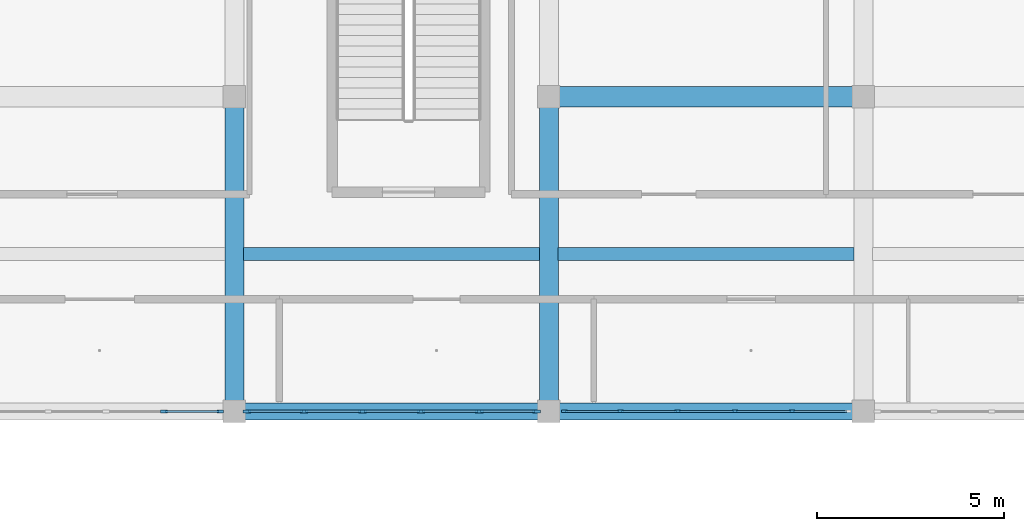
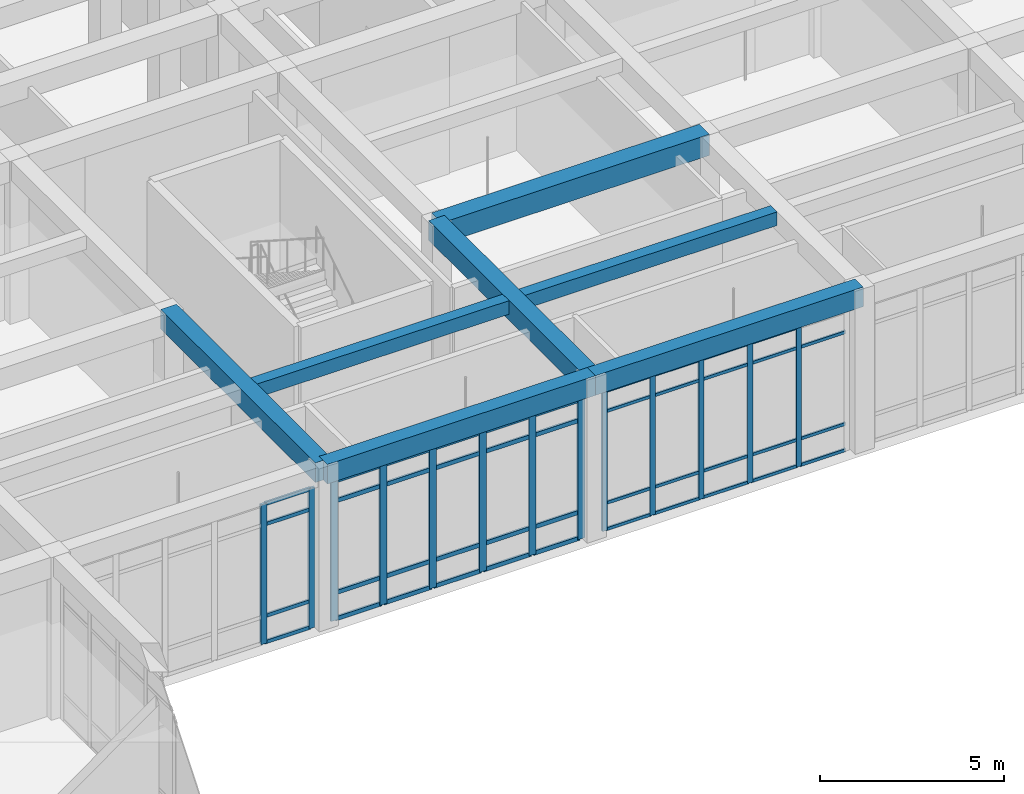
# One storey, part 34 of 157: 56 members, 7 beams, 3 elements without a shape of their own.
"""IFC4 building model written with IfcOpenShell, lengths in metres."""

from ifc_helpers import new_model, si_unit, direction, frame, origin, origin_2d, place, context, subcontext, project, spatial, rectangle, extrude, material, material_profile, profile_set, type_object, element, aggregate, save


model = new_model("IFC4")

# Units and contexts
model_context = context("Model", 3, precision=1e-05, world=origin(), true_north=direction((0.0, 1.0)))
body_context = subcontext(model_context, "Body", "Model", "MODEL_VIEW")
ifc_project = project(units=[si_unit("LENGTHUNIT", "METRE"), si_unit("AREAUNIT", "SQUARE_METRE"), si_unit("VOLUMEUNIT", "CUBIC_METRE"), si_unit("PLANEANGLEUNIT", "RADIAN"), si_unit("MASSUNIT", "GRAM", prefix="KILO")], contexts=[model_context])

# Site, building, storey
site_placement = place(None, origin())
site = spatial("IfcSite", under=ifc_project, at=site_placement, CompositionType="ELEMENT")
building_placement = place(site_placement, origin())
building = spatial("IfcBuilding", under=site, at=building_placement, Name="Varncliffe General Hospital", CompositionType="ELEMENT")
storey_placement = place(building_placement, frame((0.0, 0.0, 5.39990234375)))
storey = spatial("IfcBuildingStorey", under=building, at=storey_placement, Name="L01", CompositionType="ELEMENT", Elevation=5.39990234375)

# Beams
ifc_material_1 = material(Name="Concrete C35/45 (CSA A23.1 35 MPa)", Category="concrete")
ifc_material_profile_1 = material_profile(ifc_material_1, rectangle(XDim=0.5, YDim=0.64990234375, at=origin_2d()), Name="RC 500x650")
ifc_profile_set_1 = profile_set([ifc_material_profile_1], Name="Concrete C35/45 (CSA A23.1 35 MPa)")
beam_type_1 = type_object("IfcBeamType", Name="Beam B29 (Int RC 500x650)", PredefinedType="BEAM", material=ifc_profile_set_1)
for number, where, z_axis, x_axis, name in (
    (1, (33.60009765625, 82.800048828125, 5.0751953125), (0.0, 1.0, 0.0), (-1.0, 0.0, 0.0), "L01 Primary Beam B29-328"),
    (2, (42.0, 82.800048828125, 5.0751953125), (0.0, 1.0, 0.0), (-1.0, 0.0, 0.0), "L01 Primary Beam B29-337"),
):
    element("IfcBeam", number, at=place(storey_placement, frame(where, z_axis=z_axis, x_axis=x_axis)), inside=storey, type_object=beam_type_1, Name=name, PredefinedType="BEAM", context=body_context, shape_type="SweptSolid", body=[
        extrude(rectangle(XDim=0.5, YDim=0.64990234375, at=origin_2d()), origin(), (0.0, 0.0, 1.0), 8.39990234375),
    ])
ifc_material_profile_2 = material_profile(ifc_material_1, rectangle(XDim=0.550048828125, YDim=0.699951171875, at=origin_2d()), Name="RC 550x700")
ifc_profile_set_2 = profile_set([ifc_material_profile_2], Name="Concrete C35/45 (CSA A23.1 35 MPa)")
beam_type_2 = type_object("IfcBeamType", Name="Beam B35 (Int RC 550x700)", PredefinedType="BEAM", material=ifc_profile_set_2)
beam_placement = place(storey_placement, frame((42.0, 91.199951171875, 5.050048828125), z_axis=(1.0, 0.0, 0.0), x_axis=(0.0, 1.0, 0.0)))
element("IfcBeam", 3, at=beam_placement, inside=storey, type_object=beam_type_2, Name="L01 Primary Beam B35-137", PredefinedType="BEAM", context=body_context, shape_type="SweptSolid", body=[
    extrude(rectangle(XDim=0.550048828125, YDim=0.699951171875, at=origin_2d()), origin(), (0.0, 0.0, 1.0), 8.39990234375),
])

# Curtain wall, members
ifc_material_2 = material(Name="Triple low-E argon insulated vision glazing", Category="glass")
curtain_wall_type_1 = type_object("IfcCurtainWallType", Name="Unitised Glazed Curtain Wall CW70 (7724x4640)", PredefinedType="USERDEFINED", material=ifc_material_2)
curtain_wall_1_placement = place(storey_placement, origin())
curtain_wall_1 = element("IfcCurtainWall", 4, at=curtain_wall_1_placement, inside=storey, type_object=curtain_wall_type_1, Name="L01 Glazed Curtain Wall CW70-76", ObjectType="GLAZED CURTAIN WALL", PredefinedType="USERDEFINED")
ifc_material_3 = material(Name="Dark bronze thermally broken aluminium framing", Category="aluminium")
ifc_material_profile_3 = material_profile(ifc_material_3, rectangle(XDim=0.074951171875, YDim=0.179931640625, at=origin_2d()), Name="ALU 75x180")
ifc_profile_set_3 = profile_set([ifc_material_profile_3], Name="Dark bronze thermally broken aluminium framing")
member_type_1 = type_object("IfcMemberType", Name="Curtain Wall Mullion CM44 (ALU 75x180)", PredefinedType="MULLION", material=ifc_profile_set_3)
member_1_placement = place(storey_placement, frame((33.224609375, 82.800048828125, 0.0), z_axis=(0.0, 0.0, 1.0), x_axis=(0.0, -1.0, 0.0)))
member_1 = element("IfcMember", 5, at=member_1_placement, type_object=member_type_1, Name="CW70 mullion 1", PredefinedType="MULLION", context=body_context, shape_type="SweptSolid", body=[
    extrude(rectangle(XDim=0.074951171875, YDim=0.179931640625, at=origin_2d()), origin(), (0.0, 0.0, 1.0), 4.64013671875),
])
member_2_placement = place(storey_placement, frame((31.71728515625, 82.800048828125, 0.0), z_axis=(0.0, 0.0, 1.0), x_axis=(0.0, -1.0, 0.0)))
member_2 = element("IfcMember", 6, at=member_2_placement, type_object=member_type_1, Name="CW70 mullion 2", PredefinedType="MULLION", context=body_context, shape_type="SweptSolid", body=[
    extrude(rectangle(XDim=0.074951171875, YDim=0.179931640625, at=origin_2d()), origin(), (0.0, 0.0, 1.0), 4.64013671875),
])

curtain_wall_type_2 = type_object("IfcCurtainWallType", Name="Unitised Glazed Curtain Wall CW27 (7644x4640)", PredefinedType="USERDEFINED", material=ifc_material_2)
curtain_wall_2_placement = place(storey_placement, origin())
curtain_wall_2 = element("IfcCurtainWall", 7, at=curtain_wall_2_placement, inside=storey, type_object=curtain_wall_type_2, Name="L01 Glazed Curtain Wall CW27-74", ObjectType="GLAZED CURTAIN WALL", PredefinedType="USERDEFINED")
ifc_material_profile_4 = material_profile(ifc_material_3, rectangle(XDim=0.06494140625, YDim=0.159912109375, at=origin_2d()), Name="ALU 65x160")
ifc_profile_set_4 = profile_set([ifc_material_profile_4], Name="Dark bronze thermally broken aluminium framing")
member_type_2 = type_object("IfcMemberType", Name="Curtain Wall Mullion CM65 (ALU 65x160)", PredefinedType="MULLION", material=ifc_profile_set_4)
member_3_placement = place(storey_placement, frame((48.4931640625, 82.800048828125, 0.0), z_axis=(0.0, 0.0, 1.0), x_axis=(0.0, -1.0, 0.0)))
member_3 = element("IfcMember", 8, at=member_3_placement, type_object=member_type_2, Name="CW27 mullion 2", PredefinedType="MULLION", context=body_context, shape_type="SweptSolid", body=[
    extrude(rectangle(XDim=0.06494140625, YDim=0.159912109375, at=origin_2d()), origin(), (0.0, 0.0, 1.0), 4.64013671875),
])
member_4_placement = place(storey_placement, frame((46.96435546875, 82.800048828125, 0.0), z_axis=(0.0, 0.0, 1.0), x_axis=(0.0, -1.0, 0.0)))
member_4 = element("IfcMember", 9, at=member_4_placement, type_object=member_type_2, Name="CW27 mullion 3", PredefinedType="MULLION", context=body_context, shape_type="SweptSolid", body=[
    extrude(rectangle(XDim=0.06494140625, YDim=0.159912109375, at=origin_2d()), origin(), (0.0, 0.0, 1.0), 4.64013671875),
])
member_5_placement = place(storey_placement, frame((45.435546875, 82.800048828125, 0.0), z_axis=(0.0, 0.0, 1.0), x_axis=(0.0, -1.0, 0.0)))
member_5 = element("IfcMember", 10, at=member_5_placement, type_object=member_type_2, Name="CW27 mullion 4", PredefinedType="MULLION", context=body_context, shape_type="SweptSolid", body=[
    extrude(rectangle(XDim=0.06494140625, YDim=0.159912109375, at=origin_2d()), origin(), (0.0, 0.0, 1.0), 4.64013671875),
])
member_6_placement = place(storey_placement, frame((43.90673828125, 82.800048828125, 0.0), z_axis=(0.0, 0.0, 1.0), x_axis=(0.0, -1.0, 0.0)))
member_6 = element("IfcMember", 11, at=member_6_placement, type_object=member_type_2, Name="CW27 mullion 5", PredefinedType="MULLION", context=body_context, shape_type="SweptSolid", body=[
    extrude(rectangle(XDim=0.06494140625, YDim=0.159912109375, at=origin_2d()), origin(), (0.0, 0.0, 1.0), 4.64013671875),
])
member_7_placement = place(storey_placement, frame((42.410400390625, 82.800048828125, 0.0), z_axis=(0.0, 0.0, 1.0), x_axis=(0.0, -1.0, 0.0)))
member_7 = element("IfcMember", 12, at=member_7_placement, type_object=member_type_2, Name="CW27 mullion 6", PredefinedType="MULLION", context=body_context, shape_type="SweptSolid", body=[
    extrude(rectangle(XDim=0.06494140625, YDim=0.159912109375, at=origin_2d()), origin(), (0.0, 0.0, 1.0), 4.64013671875),
])

curtain_wall_type_3 = type_object("IfcCurtainWallType", Name="Unitised Glazed Curtain Wall CW85 (7804x4640)", PredefinedType="USERDEFINED", material=ifc_material_2)
curtain_wall_3_placement = place(storey_placement, origin())
curtain_wall_3 = element("IfcCurtainWall", 13, at=curtain_wall_3_placement, inside=storey, type_object=curtain_wall_type_3, Name="L01 Glazed Curtain Wall CW85-75", ObjectType="GLAZED CURTAIN WALL", PredefinedType="USERDEFINED")
ifc_material_profile_5 = material_profile(ifc_material_3, rectangle(XDim=0.074951171875, YDim=0.219970703125, at=origin_2d()), Name="ALU 75x220")
ifc_profile_set_5 = profile_set([ifc_material_profile_5], Name="Dark bronze thermally broken aluminium framing")
member_type_3 = type_object("IfcMemberType", Name="Curtain Wall Mullion CM74 (ALU 75x220)", PredefinedType="MULLION", material=ifc_profile_set_5)
member_8_placement = place(storey_placement, frame((41.66455078125, 82.800048828125, 0.0), z_axis=(0.0, 0.0, 1.0), x_axis=(0.0, -1.0, 0.0)))
member_8 = element("IfcMember", 14, at=member_8_placement, type_object=member_type_3, Name="CW85 mullion 1", PredefinedType="MULLION", context=body_context, shape_type="SweptSolid", body=[
    extrude(rectangle(XDim=0.074951171875, YDim=0.219970703125, at=origin_2d()), origin(), (0.0, 0.0, 1.0), 4.64013671875),
])
member_9_placement = place(storey_placement, frame((40.14111328125, 82.800048828125, 0.0), z_axis=(0.0, 0.0, 1.0), x_axis=(0.0, -1.0, 0.0)))
member_9 = element("IfcMember", 15, at=member_9_placement, type_object=member_type_3, Name="CW85 mullion 2", PredefinedType="MULLION", context=body_context, shape_type="SweptSolid", body=[
    extrude(rectangle(XDim=0.074951171875, YDim=0.219970703125, at=origin_2d()), origin(), (0.0, 0.0, 1.0), 4.64013671875),
])
member_10_placement = place(storey_placement, frame((38.580322265625, 82.800048828125, 0.0), z_axis=(0.0, 0.0, 1.0), x_axis=(0.0, -1.0, 0.0)))
member_10 = element("IfcMember", 16, at=member_10_placement, type_object=member_type_3, Name="CW85 mullion 3", PredefinedType="MULLION", context=body_context, shape_type="SweptSolid", body=[
    extrude(rectangle(XDim=0.074951171875, YDim=0.219970703125, at=origin_2d()), origin(), (0.0, 0.0, 1.0), 4.64013671875),
])
member_11_placement = place(storey_placement, frame((37.01953125, 82.800048828125, 0.0), z_axis=(0.0, 0.0, 1.0), x_axis=(0.0, -1.0, 0.0)))
member_11 = element("IfcMember", 17, at=member_11_placement, type_object=member_type_3, Name="CW85 mullion 4", PredefinedType="MULLION", context=body_context, shape_type="SweptSolid", body=[
    extrude(rectangle(XDim=0.074951171875, YDim=0.219970703125, at=origin_2d()), origin(), (0.0, 0.0, 1.0), 4.64013671875),
])
member_12_placement = place(storey_placement, frame((35.458740234375, 82.800048828125, 0.0), z_axis=(0.0, 0.0, 1.0), x_axis=(0.0, -1.0, 0.0)))
member_12 = element("IfcMember", 18, at=member_12_placement, type_object=member_type_3, Name="CW85 mullion 5", PredefinedType="MULLION", context=body_context, shape_type="SweptSolid", body=[
    extrude(rectangle(XDim=0.074951171875, YDim=0.219970703125, at=origin_2d()), origin(), (0.0, 0.0, 1.0), 4.64013671875),
])
member_13_placement = place(storey_placement, frame((33.935546875, 82.800048828125, 0.0), z_axis=(0.0, 0.0, 1.0), x_axis=(0.0, -1.0, 0.0)))
member_13 = element("IfcMember", 19, at=member_13_placement, type_object=member_type_3, Name="CW85 mullion 6", PredefinedType="MULLION", context=body_context, shape_type="SweptSolid", body=[
    extrude(rectangle(XDim=0.074951171875, YDim=0.219970703125, at=origin_2d()), origin(), (0.0, 0.0, 1.0), 4.64013671875),
])

# Member
ifc_material_profile_6 = material_profile(ifc_material_3, rectangle(XDim=0.06005859375, YDim=0.1201171875, at=origin_2d()), Name="ALU 60x120")
ifc_profile_set_6 = profile_set([ifc_material_profile_6], Name="Dark bronze thermally broken aluminium framing")
member_type_4 = type_object("IfcMemberType", Name="Curtain Wall Transom CT14 (ALU 60x120)", PredefinedType="USERDEFINED", material=ifc_profile_set_6)
member_14_placement = place(storey_placement, frame((33.18701171875, 82.800048828125, 0.030029296875), z_axis=(-1.0, 0.0, 0.0), x_axis=(0.0, -1.0, 0.0)))
member_14 = element("IfcMember", 20, at=member_14_placement, type_object=member_type_4, Name="CW70 transom 1.1", ObjectType="TRANSOM", PredefinedType="USERDEFINED", context=body_context, shape_type="SweptSolid", body=[
    extrude(rectangle(XDim=0.06005859375, YDim=0.1201171875, at=origin_2d()), origin(), (0.0, 0.0, 1.0), 1.432373046875),
])

member_15_placement = place(storey_placement, frame((33.18701171875, 82.800048828125, 0.900146484375), z_axis=(-1.0, 0.0, 0.0), x_axis=(0.0, -1.0, 0.0)))
member_15 = element("IfcMember", 21, at=member_15_placement, type_object=member_type_4, Name="CW70 transom 1.2", ObjectType="TRANSOM", PredefinedType="USERDEFINED", context=body_context, shape_type="SweptSolid", body=[
    extrude(rectangle(XDim=0.06005859375, YDim=0.1201171875, at=origin_2d()), origin(), (0.0, 0.0, 1.0), 1.432373046875),
])

member_16_placement = place(storey_placement, frame((33.18701171875, 82.800048828125, 3.940185546875), z_axis=(-1.0, 0.0, 0.0), x_axis=(0.0, -1.0, 0.0)))
member_16 = element("IfcMember", 22, at=member_16_placement, type_object=member_type_4, Name="CW70 transom 1.3", ObjectType="TRANSOM", PredefinedType="USERDEFINED", context=body_context, shape_type="SweptSolid", body=[
    extrude(rectangle(XDim=0.06005859375, YDim=0.1201171875, at=origin_2d()), origin(), (0.0, 0.0, 1.0), 1.432373046875),
])

member_17_placement = place(storey_placement, frame((33.18701171875, 82.800048828125, 4.610107421875), z_axis=(-1.0, 0.0, 0.0), x_axis=(0.0, -1.0, 0.0)))
member_17 = element("IfcMember", 23, at=member_17_placement, type_object=member_type_4, Name="CW70 transom 1.4", ObjectType="TRANSOM", PredefinedType="USERDEFINED", context=body_context, shape_type="SweptSolid", body=[
    extrude(rectangle(XDim=0.06005859375, YDim=0.1201171875, at=origin_2d()), origin(), (0.0, 0.0, 1.0), 1.432373046875),
])

aggregate(curtain_wall_1, [member_1, member_2, member_14, member_15, member_16, member_17])

ifc_material_profile_7 = material_profile(ifc_material_3, rectangle(XDim=0.06005859375, YDim=0.10009765625, at=origin_2d()), Name="ALU 60x100")
ifc_profile_set_7 = profile_set([ifc_material_profile_7], Name="Dark bronze thermally broken aluminium framing")
member_type_5 = type_object("IfcMemberType", Name="Curtain Wall Transom CT18 (ALU 60x100)", PredefinedType="USERDEFINED", material=ifc_profile_set_7)
member_18_placement = place(storey_placement, frame((49.95703125, 82.800048828125, 0.030029296875), z_axis=(-1.0, 0.0, 0.0), x_axis=(0.0, -1.0, 0.0)))
member_18 = element("IfcMember", 24, at=member_18_placement, type_object=member_type_5, Name="CW27 transom 1.1", ObjectType="TRANSOM", PredefinedType="USERDEFINED", context=body_context, shape_type="SweptSolid", body=[
    extrude(rectangle(XDim=0.06005859375, YDim=0.10009765625, at=origin_2d()), origin(), (0.0, 0.0, 1.0), 1.431396484375),
])

member_19_placement = place(storey_placement, frame((49.95703125, 82.800048828125, 0.900146484375), z_axis=(-1.0, 0.0, 0.0), x_axis=(0.0, -1.0, 0.0)))
member_19 = element("IfcMember", 25, at=member_19_placement, type_object=member_type_5, Name="CW27 transom 1.2", ObjectType="TRANSOM", PredefinedType="USERDEFINED", context=body_context, shape_type="SweptSolid", body=[
    extrude(rectangle(XDim=0.06005859375, YDim=0.10009765625, at=origin_2d()), origin(), (0.0, 0.0, 1.0), 1.431396484375),
])

member_20_placement = place(storey_placement, frame((49.95703125, 82.800048828125, 3.940185546875), z_axis=(-1.0, 0.0, 0.0), x_axis=(0.0, -1.0, 0.0)))
member_20 = element("IfcMember", 26, at=member_20_placement, type_object=member_type_5, Name="CW27 transom 1.3", ObjectType="TRANSOM", PredefinedType="USERDEFINED", context=body_context, shape_type="SweptSolid", body=[
    extrude(rectangle(XDim=0.06005859375, YDim=0.10009765625, at=origin_2d()), origin(), (0.0, 0.0, 1.0), 1.431396484375),
])

member_21_placement = place(storey_placement, frame((48.460693359375, 82.800048828125, 0.030029296875), z_axis=(-1.0, 0.0, 0.0), x_axis=(0.0, -1.0, 0.0)))
member_21 = element("IfcMember", 27, at=member_21_placement, type_object=member_type_5, Name="CW27 transom 2.1", ObjectType="TRANSOM", PredefinedType="USERDEFINED", context=body_context, shape_type="SweptSolid", body=[
    extrude(rectangle(XDim=0.06005859375, YDim=0.10009765625, at=origin_2d()), origin(), (0.0, 0.0, 1.0), 1.4638671875),
])

member_22_placement = place(storey_placement, frame((48.460693359375, 82.800048828125, 0.900146484375), z_axis=(-1.0, 0.0, 0.0), x_axis=(0.0, -1.0, 0.0)))
member_22 = element("IfcMember", 28, at=member_22_placement, type_object=member_type_5, Name="CW27 transom 2.2", ObjectType="TRANSOM", PredefinedType="USERDEFINED", context=body_context, shape_type="SweptSolid", body=[
    extrude(rectangle(XDim=0.06005859375, YDim=0.10009765625, at=origin_2d()), origin(), (0.0, 0.0, 1.0), 1.4638671875),
])

member_23_placement = place(storey_placement, frame((48.460693359375, 82.800048828125, 3.940185546875), z_axis=(-1.0, 0.0, 0.0), x_axis=(0.0, -1.0, 0.0)))
member_23 = element("IfcMember", 29, at=member_23_placement, type_object=member_type_5, Name="CW27 transom 2.3", ObjectType="TRANSOM", PredefinedType="USERDEFINED", context=body_context, shape_type="SweptSolid", body=[
    extrude(rectangle(XDim=0.06005859375, YDim=0.10009765625, at=origin_2d()), origin(), (0.0, 0.0, 1.0), 1.4638671875),
])

member_24_placement = place(storey_placement, frame((48.460693359375, 82.800048828125, 4.610107421875), z_axis=(-1.0, 0.0, 0.0), x_axis=(0.0, -1.0, 0.0)))
member_24 = element("IfcMember", 30, at=member_24_placement, type_object=member_type_5, Name="CW27 transom 2.4", ObjectType="TRANSOM", PredefinedType="USERDEFINED", context=body_context, shape_type="SweptSolid", body=[
    extrude(rectangle(XDim=0.06005859375, YDim=0.10009765625, at=origin_2d()), origin(), (0.0, 0.0, 1.0), 1.4638671875),
])

member_25_placement = place(storey_placement, frame((46.931884765625, 82.800048828125, 0.030029296875), z_axis=(-1.0, 0.0, 0.0), x_axis=(0.0, -1.0, 0.0)))
member_25 = element("IfcMember", 31, at=member_25_placement, type_object=member_type_5, Name="CW27 transom 3.1", ObjectType="TRANSOM", PredefinedType="USERDEFINED", context=body_context, shape_type="SweptSolid", body=[
    extrude(rectangle(XDim=0.06005859375, YDim=0.10009765625, at=origin_2d()), origin(), (0.0, 0.0, 1.0), 1.4638671875),
])

member_26_placement = place(storey_placement, frame((46.931884765625, 82.800048828125, 0.900146484375), z_axis=(-1.0, 0.0, 0.0), x_axis=(0.0, -1.0, 0.0)))
member_26 = element("IfcMember", 32, at=member_26_placement, type_object=member_type_5, Name="CW27 transom 3.2", ObjectType="TRANSOM", PredefinedType="USERDEFINED", context=body_context, shape_type="SweptSolid", body=[
    extrude(rectangle(XDim=0.06005859375, YDim=0.10009765625, at=origin_2d()), origin(), (0.0, 0.0, 1.0), 1.4638671875),
])

member_27_placement = place(storey_placement, frame((46.931884765625, 82.800048828125, 3.940185546875), z_axis=(-1.0, 0.0, 0.0), x_axis=(0.0, -1.0, 0.0)))
member_27 = element("IfcMember", 33, at=member_27_placement, type_object=member_type_5, Name="CW27 transom 3.3", ObjectType="TRANSOM", PredefinedType="USERDEFINED", context=body_context, shape_type="SweptSolid", body=[
    extrude(rectangle(XDim=0.06005859375, YDim=0.10009765625, at=origin_2d()), origin(), (0.0, 0.0, 1.0), 1.4638671875),
])

member_28_placement = place(storey_placement, frame((46.931884765625, 82.800048828125, 4.610107421875), z_axis=(-1.0, 0.0, 0.0), x_axis=(0.0, -1.0, 0.0)))
member_28 = element("IfcMember", 34, at=member_28_placement, type_object=member_type_5, Name="CW27 transom 3.4", ObjectType="TRANSOM", PredefinedType="USERDEFINED", context=body_context, shape_type="SweptSolid", body=[
    extrude(rectangle(XDim=0.06005859375, YDim=0.10009765625, at=origin_2d()), origin(), (0.0, 0.0, 1.0), 1.4638671875),
])

member_29_placement = place(storey_placement, frame((45.403076171875, 82.800048828125, 0.030029296875), z_axis=(-1.0, 0.0, 0.0), x_axis=(0.0, -1.0, 0.0)))
member_29 = element("IfcMember", 35, at=member_29_placement, type_object=member_type_5, Name="CW27 transom 4.1", ObjectType="TRANSOM", PredefinedType="USERDEFINED", context=body_context, shape_type="SweptSolid", body=[
    extrude(rectangle(XDim=0.06005859375, YDim=0.10009765625, at=origin_2d()), origin(), (0.0, 0.0, 1.0), 1.4638671875),
])

member_30_placement = place(storey_placement, frame((45.403076171875, 82.800048828125, 0.900146484375), z_axis=(-1.0, 0.0, 0.0), x_axis=(0.0, -1.0, 0.0)))
member_30 = element("IfcMember", 36, at=member_30_placement, type_object=member_type_5, Name="CW27 transom 4.2", ObjectType="TRANSOM", PredefinedType="USERDEFINED", context=body_context, shape_type="SweptSolid", body=[
    extrude(rectangle(XDim=0.06005859375, YDim=0.10009765625, at=origin_2d()), origin(), (0.0, 0.0, 1.0), 1.4638671875),
])

member_31_placement = place(storey_placement, frame((45.403076171875, 82.800048828125, 3.940185546875), z_axis=(-1.0, 0.0, 0.0), x_axis=(0.0, -1.0, 0.0)))
member_31 = element("IfcMember", 37, at=member_31_placement, type_object=member_type_5, Name="CW27 transom 4.3", ObjectType="TRANSOM", PredefinedType="USERDEFINED", context=body_context, shape_type="SweptSolid", body=[
    extrude(rectangle(XDim=0.06005859375, YDim=0.10009765625, at=origin_2d()), origin(), (0.0, 0.0, 1.0), 1.4638671875),
])

member_32_placement = place(storey_placement, frame((45.403076171875, 82.800048828125, 4.610107421875), z_axis=(-1.0, 0.0, 0.0), x_axis=(0.0, -1.0, 0.0)))
member_32 = element("IfcMember", 38, at=member_32_placement, type_object=member_type_5, Name="CW27 transom 4.4", ObjectType="TRANSOM", PredefinedType="USERDEFINED", context=body_context, shape_type="SweptSolid", body=[
    extrude(rectangle(XDim=0.06005859375, YDim=0.10009765625, at=origin_2d()), origin(), (0.0, 0.0, 1.0), 1.4638671875),
])

member_33_placement = place(storey_placement, frame((43.874267578125, 82.800048828125, 0.030029296875), z_axis=(-1.0, 0.0, 0.0), x_axis=(0.0, -1.0, 0.0)))
member_33 = element("IfcMember", 39, at=member_33_placement, type_object=member_type_5, Name="CW27 transom 5.1", ObjectType="TRANSOM", PredefinedType="USERDEFINED", context=body_context, shape_type="SweptSolid", body=[
    extrude(rectangle(XDim=0.06005859375, YDim=0.10009765625, at=origin_2d()), origin(), (0.0, 0.0, 1.0), 1.43115234375),
])

member_34_placement = place(storey_placement, frame((43.874267578125, 82.800048828125, 0.900146484375), z_axis=(-1.0, 0.0, 0.0), x_axis=(0.0, -1.0, 0.0)))
member_34 = element("IfcMember", 40, at=member_34_placement, type_object=member_type_5, Name="CW27 transom 5.2", ObjectType="TRANSOM", PredefinedType="USERDEFINED", context=body_context, shape_type="SweptSolid", body=[
    extrude(rectangle(XDim=0.06005859375, YDim=0.10009765625, at=origin_2d()), origin(), (0.0, 0.0, 1.0), 1.43115234375),
])

member_35_placement = place(storey_placement, frame((43.874267578125, 82.800048828125, 3.940185546875), z_axis=(-1.0, 0.0, 0.0), x_axis=(0.0, -1.0, 0.0)))
member_35 = element("IfcMember", 41, at=member_35_placement, type_object=member_type_5, Name="CW27 transom 5.3", ObjectType="TRANSOM", PredefinedType="USERDEFINED", context=body_context, shape_type="SweptSolid", body=[
    extrude(rectangle(XDim=0.06005859375, YDim=0.10009765625, at=origin_2d()), origin(), (0.0, 0.0, 1.0), 1.43115234375),
])

member_36_placement = place(storey_placement, frame((43.874267578125, 82.800048828125, 4.610107421875), z_axis=(-1.0, 0.0, 0.0), x_axis=(0.0, -1.0, 0.0)))
member_36 = element("IfcMember", 42, at=member_36_placement, type_object=member_type_5, Name="CW27 transom 5.4", ObjectType="TRANSOM", PredefinedType="USERDEFINED", context=body_context, shape_type="SweptSolid", body=[
    extrude(rectangle(XDim=0.06005859375, YDim=0.10009765625, at=origin_2d()), origin(), (0.0, 0.0, 1.0), 1.43115234375),
])

aggregate(curtain_wall_2, [member_3, member_4, member_5, member_6, member_7, member_18, member_19, member_20, member_21, member_22, member_23, member_24, member_25, member_26, member_27, member_28, member_29, member_30, member_31, member_32, member_33, member_34, member_35, member_36])

ifc_material_profile_8 = material_profile(ifc_material_3, rectangle(XDim=0.06494140625, YDim=0.139892578125, at=origin_2d()), Name="ALU 65x140")
ifc_profile_set_8 = profile_set([ifc_material_profile_8], Name="Dark bronze thermally broken aluminium framing")
member_type_6 = type_object("IfcMemberType", Name="Curtain Wall Transom CT69 (ALU 65x140)", PredefinedType="USERDEFINED", material=ifc_profile_set_8)
member_37_placement = place(storey_placement, frame((41.626953125, 82.800048828125, 0.03271484375), z_axis=(-1.0, 0.0, 0.0), x_axis=(0.0, -1.0, 0.0)))
member_37 = element("IfcMember", 43, at=member_37_placement, type_object=member_type_6, Name="CW85 transom 1.1", ObjectType="TRANSOM", PredefinedType="USERDEFINED", context=body_context, shape_type="SweptSolid", body=[
    extrude(rectangle(XDim=0.06494140625, YDim=0.139892578125, at=origin_2d()), origin(), (0.0, 0.0, 1.0), 1.4482421875),
])

member_38_placement = place(storey_placement, frame((41.626953125, 82.800048828125, 0.900146484375), z_axis=(-1.0, 0.0, 0.0), x_axis=(0.0, -1.0, 0.0)))
member_38 = element("IfcMember", 44, at=member_38_placement, type_object=member_type_6, Name="CW85 transom 1.2", ObjectType="TRANSOM", PredefinedType="USERDEFINED", context=body_context, shape_type="SweptSolid", body=[
    extrude(rectangle(XDim=0.06494140625, YDim=0.139892578125, at=origin_2d()), origin(), (0.0, 0.0, 1.0), 1.4482421875),
])

member_39_placement = place(storey_placement, frame((41.626953125, 82.800048828125, 3.940185546875), z_axis=(-1.0, 0.0, 0.0), x_axis=(0.0, -1.0, 0.0)))
member_39 = element("IfcMember", 45, at=member_39_placement, type_object=member_type_6, Name="CW85 transom 1.3", ObjectType="TRANSOM", PredefinedType="USERDEFINED", context=body_context, shape_type="SweptSolid", body=[
    extrude(rectangle(XDim=0.06494140625, YDim=0.139892578125, at=origin_2d()), origin(), (0.0, 0.0, 1.0), 1.4482421875),
])

member_40_placement = place(storey_placement, frame((41.626953125, 82.800048828125, 4.607666015625), z_axis=(-1.0, 0.0, 0.0), x_axis=(0.0, -1.0, 0.0)))
member_40 = element("IfcMember", 46, at=member_40_placement, type_object=member_type_6, Name="CW85 transom 1.4", ObjectType="TRANSOM", PredefinedType="USERDEFINED", context=body_context, shape_type="SweptSolid", body=[
    extrude(rectangle(XDim=0.06494140625, YDim=0.139892578125, at=origin_2d()), origin(), (0.0, 0.0, 1.0), 1.4482421875),
])

member_41_placement = place(storey_placement, frame((40.103759765625, 82.800048828125, 0.03271484375), z_axis=(-1.0, 0.0, 0.0), x_axis=(0.0, -1.0, 0.0)))
member_41 = element("IfcMember", 47, at=member_41_placement, type_object=member_type_6, Name="CW85 transom 2.1", ObjectType="TRANSOM", PredefinedType="USERDEFINED", context=body_context, shape_type="SweptSolid", body=[
    extrude(rectangle(XDim=0.06494140625, YDim=0.139892578125, at=origin_2d()), origin(), (0.0, 0.0, 1.0), 1.48583984375),
])

member_42_placement = place(storey_placement, frame((40.103759765625, 82.800048828125, 0.900146484375), z_axis=(-1.0, 0.0, 0.0), x_axis=(0.0, -1.0, 0.0)))
member_42 = element("IfcMember", 48, at=member_42_placement, type_object=member_type_6, Name="CW85 transom 2.2", ObjectType="TRANSOM", PredefinedType="USERDEFINED", context=body_context, shape_type="SweptSolid", body=[
    extrude(rectangle(XDim=0.06494140625, YDim=0.139892578125, at=origin_2d()), origin(), (0.0, 0.0, 1.0), 1.48583984375),
])

member_43_placement = place(storey_placement, frame((40.103759765625, 82.800048828125, 3.940185546875), z_axis=(-1.0, 0.0, 0.0), x_axis=(0.0, -1.0, 0.0)))
member_43 = element("IfcMember", 49, at=member_43_placement, type_object=member_type_6, Name="CW85 transom 2.3", ObjectType="TRANSOM", PredefinedType="USERDEFINED", context=body_context, shape_type="SweptSolid", body=[
    extrude(rectangle(XDim=0.06494140625, YDim=0.139892578125, at=origin_2d()), origin(), (0.0, 0.0, 1.0), 1.48583984375),
])

member_44_placement = place(storey_placement, frame((40.103759765625, 82.800048828125, 4.607666015625), z_axis=(-1.0, 0.0, 0.0), x_axis=(0.0, -1.0, 0.0)))
member_44 = element("IfcMember", 50, at=member_44_placement, type_object=member_type_6, Name="CW85 transom 2.4", ObjectType="TRANSOM", PredefinedType="USERDEFINED", context=body_context, shape_type="SweptSolid", body=[
    extrude(rectangle(XDim=0.06494140625, YDim=0.139892578125, at=origin_2d()), origin(), (0.0, 0.0, 1.0), 1.48583984375),
])

member_45_placement = place(storey_placement, frame((38.54296875, 82.800048828125, 0.03271484375), z_axis=(-1.0, 0.0, 0.0), x_axis=(0.0, -1.0, 0.0)))
member_45 = element("IfcMember", 51, at=member_45_placement, type_object=member_type_6, Name="CW85 transom 3.1", ObjectType="TRANSOM", PredefinedType="USERDEFINED", context=body_context, shape_type="SweptSolid", body=[
    extrude(rectangle(XDim=0.06494140625, YDim=0.139892578125, at=origin_2d()), origin(), (0.0, 0.0, 1.0), 1.48583984375),
])

member_46_placement = place(storey_placement, frame((38.54296875, 82.800048828125, 0.900146484375), z_axis=(-1.0, 0.0, 0.0), x_axis=(0.0, -1.0, 0.0)))
member_46 = element("IfcMember", 52, at=member_46_placement, type_object=member_type_6, Name="CW85 transom 3.2", ObjectType="TRANSOM", PredefinedType="USERDEFINED", context=body_context, shape_type="SweptSolid", body=[
    extrude(rectangle(XDim=0.06494140625, YDim=0.139892578125, at=origin_2d()), origin(), (0.0, 0.0, 1.0), 1.48583984375),
])

member_47_placement = place(storey_placement, frame((38.54296875, 82.800048828125, 3.940185546875), z_axis=(-1.0, 0.0, 0.0), x_axis=(0.0, -1.0, 0.0)))
member_47 = element("IfcMember", 53, at=member_47_placement, type_object=member_type_6, Name="CW85 transom 3.3", ObjectType="TRANSOM", PredefinedType="USERDEFINED", context=body_context, shape_type="SweptSolid", body=[
    extrude(rectangle(XDim=0.06494140625, YDim=0.139892578125, at=origin_2d()), origin(), (0.0, 0.0, 1.0), 1.48583984375),
])

member_48_placement = place(storey_placement, frame((38.54296875, 82.800048828125, 4.607666015625), z_axis=(-1.0, 0.0, 0.0), x_axis=(0.0, -1.0, 0.0)))
member_48 = element("IfcMember", 54, at=member_48_placement, type_object=member_type_6, Name="CW85 transom 3.4", ObjectType="TRANSOM", PredefinedType="USERDEFINED", context=body_context, shape_type="SweptSolid", body=[
    extrude(rectangle(XDim=0.06494140625, YDim=0.139892578125, at=origin_2d()), origin(), (0.0, 0.0, 1.0), 1.48583984375),
])

member_49_placement = place(storey_placement, frame((36.982177734375, 82.800048828125, 0.03271484375), z_axis=(-1.0, 0.0, 0.0), x_axis=(0.0, -1.0, 0.0)))
member_49 = element("IfcMember", 55, at=member_49_placement, type_object=member_type_6, Name="CW85 transom 4.1", ObjectType="TRANSOM", PredefinedType="USERDEFINED", context=body_context, shape_type="SweptSolid", body=[
    extrude(rectangle(XDim=0.06494140625, YDim=0.139892578125, at=origin_2d()), origin(), (0.0, 0.0, 1.0), 1.48583984375),
])

member_50_placement = place(storey_placement, frame((36.982177734375, 82.800048828125, 0.900146484375), z_axis=(-1.0, 0.0, 0.0), x_axis=(0.0, -1.0, 0.0)))
member_50 = element("IfcMember", 56, at=member_50_placement, type_object=member_type_6, Name="CW85 transom 4.2", ObjectType="TRANSOM", PredefinedType="USERDEFINED", context=body_context, shape_type="SweptSolid", body=[
    extrude(rectangle(XDim=0.06494140625, YDim=0.139892578125, at=origin_2d()), origin(), (0.0, 0.0, 1.0), 1.48583984375),
])

member_51_placement = place(storey_placement, frame((36.982177734375, 82.800048828125, 3.940185546875), z_axis=(-1.0, 0.0, 0.0), x_axis=(0.0, -1.0, 0.0)))
member_51 = element("IfcMember", 57, at=member_51_placement, type_object=member_type_6, Name="CW85 transom 4.3", ObjectType="TRANSOM", PredefinedType="USERDEFINED", context=body_context, shape_type="SweptSolid", body=[
    extrude(rectangle(XDim=0.06494140625, YDim=0.139892578125, at=origin_2d()), origin(), (0.0, 0.0, 1.0), 1.48583984375),
])

member_52_placement = place(storey_placement, frame((36.982177734375, 82.800048828125, 4.607666015625), z_axis=(-1.0, 0.0, 0.0), x_axis=(0.0, -1.0, 0.0)))
member_52 = element("IfcMember", 58, at=member_52_placement, type_object=member_type_6, Name="CW85 transom 4.4", ObjectType="TRANSOM", PredefinedType="USERDEFINED", context=body_context, shape_type="SweptSolid", body=[
    extrude(rectangle(XDim=0.06494140625, YDim=0.139892578125, at=origin_2d()), origin(), (0.0, 0.0, 1.0), 1.48583984375),
])

member_53_placement = place(storey_placement, frame((35.42138671875, 82.800048828125, 0.03271484375), z_axis=(-1.0, 0.0, 0.0), x_axis=(0.0, -1.0, 0.0)))
member_53 = element("IfcMember", 59, at=member_53_placement, type_object=member_type_6, Name="CW85 transom 5.1", ObjectType="TRANSOM", PredefinedType="USERDEFINED", context=body_context, shape_type="SweptSolid", body=[
    extrude(rectangle(XDim=0.06494140625, YDim=0.139892578125, at=origin_2d()), origin(), (0.0, 0.0, 1.0), 1.448486328125),
])

member_54_placement = place(storey_placement, frame((35.42138671875, 82.800048828125, 0.900146484375), z_axis=(-1.0, 0.0, 0.0), x_axis=(0.0, -1.0, 0.0)))
member_54 = element("IfcMember", 60, at=member_54_placement, type_object=member_type_6, Name="CW85 transom 5.2", ObjectType="TRANSOM", PredefinedType="USERDEFINED", context=body_context, shape_type="SweptSolid", body=[
    extrude(rectangle(XDim=0.06494140625, YDim=0.139892578125, at=origin_2d()), origin(), (0.0, 0.0, 1.0), 1.448486328125),
])

member_55_placement = place(storey_placement, frame((35.42138671875, 82.800048828125, 3.940185546875), z_axis=(-1.0, 0.0, 0.0), x_axis=(0.0, -1.0, 0.0)))
member_55 = element("IfcMember", 61, at=member_55_placement, type_object=member_type_6, Name="CW85 transom 5.3", ObjectType="TRANSOM", PredefinedType="USERDEFINED", context=body_context, shape_type="SweptSolid", body=[
    extrude(rectangle(XDim=0.06494140625, YDim=0.139892578125, at=origin_2d()), origin(), (0.0, 0.0, 1.0), 1.448486328125),
])

member_56_placement = place(storey_placement, frame((35.42138671875, 82.800048828125, 4.607666015625), z_axis=(-1.0, 0.0, 0.0), x_axis=(0.0, -1.0, 0.0)))
member_56 = element("IfcMember", 62, at=member_56_placement, type_object=member_type_6, Name="CW85 transom 5.4", ObjectType="TRANSOM", PredefinedType="USERDEFINED", context=body_context, shape_type="SweptSolid", body=[
    extrude(rectangle(XDim=0.06494140625, YDim=0.139892578125, at=origin_2d()), origin(), (0.0, 0.0, 1.0), 1.448486328125),
])

aggregate(curtain_wall_3, [member_8, member_9, member_10, member_11, member_12, member_13, member_37, member_38, member_39, member_40, member_41, member_42, member_43, member_44, member_45, member_46, member_47, member_48, member_49, member_50, member_51, member_52, member_53, member_54, member_55, member_56])

# Beams
ifc_material_profile_9 = material_profile(ifc_material_1, rectangle(XDim=0.35009765625, YDim=0.449951171875, at=origin_2d()), Name="RC 350x450")
ifc_profile_set_9 = profile_set([ifc_material_profile_9], Name="Concrete C35/45 (CSA A23.1 35 MPa)")
beam_type_3 = type_object("IfcBeamType", Name="Joist J55 (Int RC 350x450)", PredefinedType="JOIST", material=ifc_profile_set_9)
for number, where, z_axis, x_axis, name in (
    (63, (33.847900390625, 87.0, 5.175048828125), (1.0, 0.0, 0.0), (0.0, 1.0, 0.0), "L01 Secondary Floor Rib J55-21"),
    (64, (42.248046875, 87.0, 5.175048828125), (1.0, 0.0, 0.0), (0.0, 1.0, 0.0), "L01 Secondary Floor Rib J55-24"),
):
    element("IfcBeam", number, at=place(storey_placement, frame(where, z_axis=z_axis, x_axis=x_axis)), inside=storey, type_object=beam_type_3, Name=name, PredefinedType="JOIST", context=body_context, shape_type="SweptSolid", body=[
        extrude(rectangle(XDim=0.35009765625, YDim=0.449951171875, at=origin_2d()), origin(), (0.0, 0.0, 1.0), 7.904052734375),
    ])
ifc_material_profile_10 = material_profile(ifc_material_1, rectangle(XDim=0.449951171875, YDim=0.64990234375, at=origin_2d()), Name="RC 450x650")
ifc_profile_set_10 = profile_set([ifc_material_profile_10], Name="Concrete C35/45 (CSA A23.1 35 MPa)")
beam_type_4 = type_object("IfcBeamType", Name="Spandrel SP38 (Ext RC 450x650B)", PredefinedType="SPANDREL", material=ifc_profile_set_10)
for number, where, z_axis, x_axis, name in (
    (65, (33.60009765625, 82.800048828125, 5.0751953125), (1.0, 0.0, 0.0), (0.0, 1.0, 0.0), "L01 Spandrel Beam SP38-116"),
    (66, (42.0, 82.800048828125, 5.0751953125), (1.0, 0.0, 0.0), (0.0, 1.0, 0.0), "L01 Spandrel Beam SP38-117"),
):
    element("IfcBeam", number, at=place(storey_placement, frame(where, z_axis=z_axis, x_axis=x_axis)), inside=storey, type_object=beam_type_4, Name=name, PredefinedType="SPANDREL", context=body_context, shape_type="SweptSolid", body=[
        extrude(rectangle(XDim=0.449951171875, YDim=0.64990234375, at=origin_2d()), origin(), (0.0, 0.0, 1.0), 8.39990234375),
    ])

save(model, "model.ifc")
